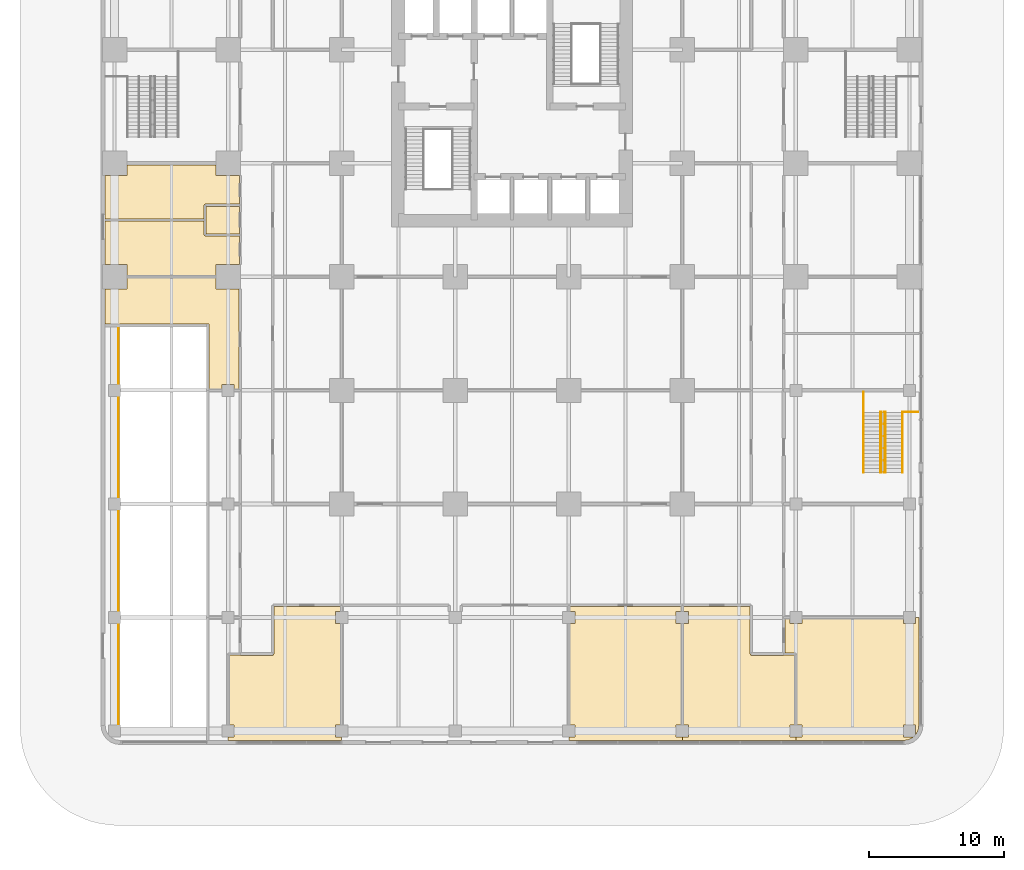
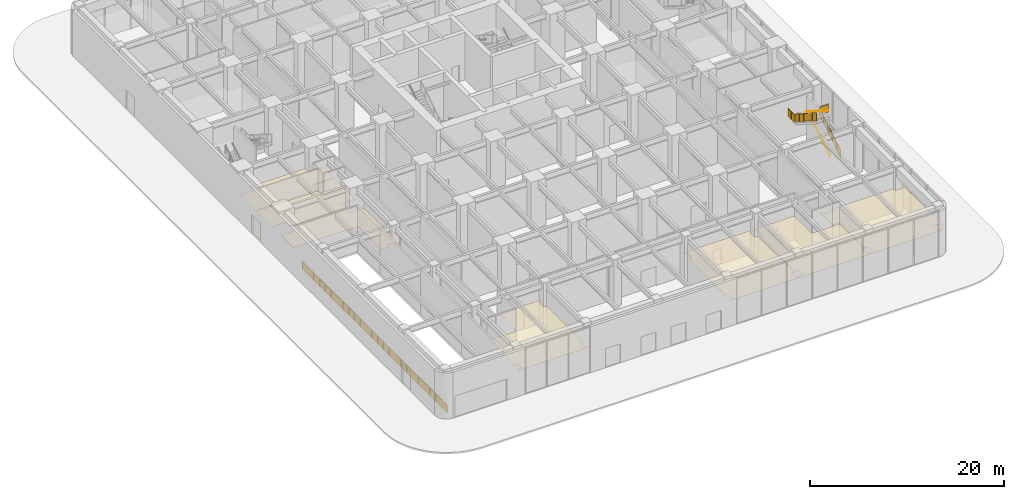
# One storey, part 18 of 21: 8 coverings, 7 railings.
"""IFC4 building model written with IfcOpenShell, lengths in metres."""

from ifc_helpers import new_model, si_unit, direction, frame, origin, origin_2d, place, context, subcontext, project, spatial, polyline, circle, outline, extrude, material, layer, layer_set, type_object, element, save


model = new_model("IFC4")

# Units and contexts
model_context = context("Model", 3, precision=1e-05, world=origin(), true_north=direction((0.0, 1.0)))
body_context = subcontext(model_context, "Body", "Model", "MODEL_VIEW")
ifc_project = project(units=[si_unit("LENGTHUNIT", "METRE"), si_unit("AREAUNIT", "SQUARE_METRE"), si_unit("VOLUMEUNIT", "CUBIC_METRE"), si_unit("PLANEANGLEUNIT", "RADIAN"), si_unit("MASSUNIT", "GRAM", prefix="KILO")], contexts=[model_context])

# Site, building, storey
site_placement = place(None, origin())
site = spatial("IfcSite", under=ifc_project, at=site_placement, CompositionType="ELEMENT")
building_placement = place(site_placement, origin())
building = spatial("IfcBuilding", under=site, at=building_placement, Name="Torre Alcanfor", CompositionType="ELEMENT")
storey_placement = place(building_placement, origin())
storey = spatial("IfcBuildingStorey", under=building, at=storey_placement, Name="L00", CompositionType="ELEMENT", Elevation=0.0)

# Coverings
ifc_material_1 = material(Name="Mineral fibre acoustic tile 20 mm, NRC 0.70, on exposed suspension grid", Category="mineral fibre")
ifc_layer_1 = layer(ifc_material_1, 0.02001953125)
ifc_layer_set_1 = layer_set([ifc_layer_1], Name="Acoustic suspended ceiling 600x600 mineral fibre tile")
covering_type_1 = type_object("IfcCoveringType", Name="Acoustic suspended ceiling 600x600 mineral fibre tile", PredefinedType="CEILING", material=ifc_layer_set_1)
covering_1_placement = place(storey_placement, frame((0.0, 0.0, 3.0)))
element("IfcCovering", 1, at=covering_1_placement, inside=storey, type_object=covering_type_1, Name="Ceiling L00-01", PredefinedType="CEILING", context=body_context, shape_type="SweptSolid", body=[
    extrude(outline(polyline([(8.85009765625, -17.25), (8.39990234375, -17.25), (8.39990234375, -17.5), (16.800048828125, -17.5), (16.800048828125, -17.25), (16.35009765625, -17.25), (16.35009765625, -16.35009765625), (16.72509765625, -16.35009765625), (16.72509765625, -8.85009765625), (16.35009765625, -8.85009765625), (16.35009765625, -7.949951171875), (16.72509765625, -7.949951171875), (16.72509765625, -7.60009765625), (11.800048828125, -7.60009765625), (11.800048828125, -11.10009765625), (11.699951171875, -11.10009765625), (11.699951171875, -11.199951171875), (9.300048828125, -11.199951171875), (9.300048828125, -11.175048828125), (8.47509765625, -11.175048828125), (8.47509765625, -16.35009765625), (8.85009765625, -16.35009765625), (8.85009765625, -17.25)])), origin(), (0.0, 0.0, 1.0), 0.02001953125),
])
covering_2_placement = place(storey_placement, frame((0.0, 0.0, 3.0)))
element("IfcCovering", 2, at=covering_2_placement, inside=storey, type_object=covering_type_1, Name="Ceiling L00-02", PredefinedType="CEILING", context=body_context, shape_type="SweptSolid", body=[
    extrude(outline(polyline([(49.949951171875, -17.25), (49.949951171875, -16.35009765625), (50.324951171875, -16.35009765625), (50.324951171875, -11.175048828125), (49.5, -11.175048828125), (49.5, -11.199951171875), (47.10009765625, -11.199951171875), (47.10009765625, -11.10009765625), (47.0, -11.10009765625), (47.0, -7.60009765625), (42.074951171875, -7.60009765625), (42.074951171875, -7.949951171875), (42.449951171875, -7.949951171875), (42.449951171875, -8.85009765625), (42.074951171875, -8.85009765625), (42.074951171875, -16.35009765625), (42.449951171875, -16.35009765625), (42.449951171875, -17.25), (42.0, -17.25), (42.0, -17.5), (50.39990234375, -17.5), (50.39990234375, -17.25), (49.949951171875, -17.25)])), origin(), (0.0, 0.0, 1.0), 0.02001953125),
])
covering_3_placement = place(storey_placement, frame((0.0, 0.0, 3.0)))
element("IfcCovering", 3, at=covering_3_placement, inside=storey, type_object=covering_type_1, Name="Ceiling L00-03", PredefinedType="CEILING", context=body_context, shape_type="SweptSolid", body=[
    extrude(outline(polyline([(59.25, -16.35009765625), (59.25, -17.079345703125), (59.350341796875, -16.94873046875), (59.4599609375, -16.68408203125), (59.5, -16.38037109375), (59.5, -8.39990234375), (59.25, -8.39990234375), (59.25, -8.85009765625), (58.35009765625, -8.85009765625), (58.35009765625, -8.47509765625), (50.85009765625, -8.47509765625), (50.85009765625, -8.85009765625), (49.949951171875, -8.85009765625), (49.949951171875, -8.47509765625), (49.60009765625, -8.47509765625), (49.60009765625, -11.02490234375), (50.39990234375, -11.02490234375), (50.39990234375, -11.10009765625), (50.47509765625, -11.10009765625), (50.47509765625, -16.35009765625), (50.85009765625, -16.35009765625), (50.85009765625, -17.25), (50.39990234375, -17.25), (50.39990234375, -17.5), (58.38037109375, -17.5), (58.68408203125, -17.4599609375), (58.94873046875, -17.350341796875), (59.079345703125, -17.25), (58.35009765625, -17.25), (58.35009765625, -16.35009765625), (59.25, -16.35009765625)])), origin(), (0.0, 0.0, 1.0), 0.02001953125),
])
covering_4_placement = place(storey_placement, frame((0.0, 0.0, 3.0)))
element("IfcCovering", 4, at=covering_4_placement, inside=storey, type_object=covering_type_1, Name="Ceiling L00-06", PredefinedType="CEILING", context=body_context, shape_type="SweptSolid", body=[
    extrude(outline(polyline([(41.550048828125, -8.85009765625), (41.550048828125, -7.949951171875), (41.925048828125, -7.949951171875), (41.925048828125, -7.60009765625), (33.675048828125, -7.60009765625), (33.675048828125, -7.949951171875), (34.050048828125, -7.949951171875), (34.050048828125, -8.85009765625), (33.675048828125, -8.85009765625), (33.675048828125, -16.35009765625), (34.050048828125, -16.35009765625), (34.050048828125, -17.25), (33.60009765625, -17.25), (33.60009765625, -17.5), (42.0, -17.5), (42.0, -17.25), (41.550048828125, -17.25), (41.550048828125, -16.35009765625), (41.925048828125, -16.35009765625), (41.925048828125, -8.85009765625), (41.550048828125, -8.85009765625)])), origin(), (0.0, 0.0, 1.0), 0.02001953125),
])
covering_5_placement = place(storey_placement, frame((0.0, 0.0, 3.0)))
element("IfcCovering", 5, at=covering_5_placement, inside=storey, type_object=covering_type_1, Name="Ceiling L00-12", PredefinedType="CEILING", context=body_context, shape_type="SweptSolid", body=[
    extrude(outline(polyline([(-0.699951171875, 13.300048828125), (7.0, 13.300048828125), (7.0, 8.47509765625), (7.949951171875, 8.47509765625), (7.949951171875, 8.85009765625), (8.85009765625, 8.85009765625), (8.85009765625, 8.47509765625), (9.199951171875, 8.47509765625), (9.199951171875, 15.89990234375), (7.5, 15.89990234375), (7.5, 16.72509765625), (0.89990234375, 16.72509765625), (0.89990234375, 15.89990234375), (-0.699951171875, 15.89990234375), (-0.699951171875, 13.300048828125)])), origin(), (0.0, 0.0, 1.0), 0.02001953125),
])
ifc_material_2 = material(Name="Moisture-resistant gypsum plasterboard 12.5 mm on concealed suspension frame", Category="gypsum")
ifc_layer_2 = layer(ifc_material_2, 0.012451171875)
ifc_layer_set_2 = layer_set([ifc_layer_2], Name="Moisture-resistant plasterboard ceiling 12.5")
covering_type_2 = type_object("IfcCoveringType", Name="Moisture-resistant plasterboard ceiling 12.5", PredefinedType="CEILING", material=ifc_layer_set_2)
covering_6_placement = place(storey_placement, frame((0.0, 0.0, 3.0)))
element("IfcCovering", 6, at=covering_6_placement, inside=storey, type_object=covering_type_2, Name="Ceiling L00-WCW1", PredefinedType="CEILING", context=body_context, shape_type="SweptSolid", body=[
    extrude(outline(polyline([(6.625, 20.925048828125), (-0.699951171875, 20.925048828125), (-0.699951171875, 17.699951171875), (0.89990234375, 17.699951171875), (0.89990234375, 16.875), (7.5, 16.875), (7.5, 17.699951171875), (9.22509765625, 17.699951171875), (9.22509765625, 19.824951171875), (6.699951171875, 19.824951171875), (6.699951171875, 19.89990234375), (6.625, 19.89990234375), (6.625, 20.925048828125)])), origin(), (0.0, 0.0, 1.0), 0.012451171875),
])
covering_7_placement = place(storey_placement, frame((0.0, 0.0, 3.0)))
element("IfcCovering", 7, at=covering_7_placement, inside=storey, type_object=covering_type_2, Name="Ceiling L00-WCW2", PredefinedType="CEILING", context=body_context, shape_type="SweptSolid", body=[
    extrude(outline(polyline([(9.22509765625, 22.02490234375), (6.77490234375, 22.02490234375), (6.77490234375, 19.97509765625), (9.22509765625, 19.97509765625), (9.22509765625, 22.02490234375)])), origin(), (0.0, 0.0, 1.0), 0.012451171875),
])
covering_8_placement = place(storey_placement, frame((0.0, 0.0, 3.0)))
element("IfcCovering", 8, at=covering_8_placement, inside=storey, type_object=covering_type_2, Name="Ceiling L00-WCW3", PredefinedType="CEILING", context=body_context, shape_type="SweptSolid", body=[
    extrude(outline(polyline([(0.89990234375, 24.300048828125), (-0.699951171875, 24.300048828125), (-0.699951171875, 21.074951171875), (6.625, 21.074951171875), (6.625, 22.10009765625), (6.699951171875, 22.10009765625), (6.699951171875, 22.175048828125), (9.22509765625, 22.175048828125), (9.22509765625, 24.300048828125), (7.5, 24.300048828125), (7.5, 25.074951171875), (0.89990234375, 25.074951171875), (0.89990234375, 24.300048828125)])), origin(), (0.0, 0.0, 1.0), 0.012451171875),
])

# Railings
ifc_material_3 = material(Name="Steel ASTM A500 Grade C hollow sections, hot-dip galvanised ASTM A123", Category="steel")
railing_type_1 = type_object("IfcRailingType", Name="Ramp guard 1100", PredefinedType="GUARDRAIL", material=ifc_material_3)
railing_1_placement = place(storey_placement, frame((0.300048828125, -16.75, 0.0)))
element("IfcRailing", 9, at=railing_1_placement, inside=storey, type_object=railing_type_1, Name="Ramp opening guard L00", PredefinedType="GUARDRAIL", context=body_context, shape_type="SweptSolid", body=[
    extrude(circle(Radius=0.02392578125, at=origin_2d()), frame((0.0, 0.0, 1.076171875), z_axis=(0.0, 1.0, 0.0), x_axis=(-1.0, 0.0, 0.0)), (0.0, 0.0, 1.0), 29.949951171875),
    extrude(circle(Radius=0.02099609375, at=origin_2d()), origin(), (0.0, 0.0, 1.0), 1.052001953125),
    extrude(circle(Radius=0.02099609375, at=origin_2d()), frame((0.0, 1.197998046875, 0.0)), (0.0, 0.0, 1.0), 1.052001953125),
    extrude(circle(Radius=0.02099609375, at=origin_2d()), frame((0.0, 2.39599609375, 0.0)), (0.0, 0.0, 1.0), 1.052001953125),
    extrude(circle(Radius=0.02099609375, at=origin_2d()), frame((0.0, 3.593994140625, 0.0)), (0.0, 0.0, 1.0), 1.052001953125),
    extrude(circle(Radius=0.02099609375, at=origin_2d()), frame((0.0, 4.7919921875, 0.0)), (0.0, 0.0, 1.0), 1.052001953125),
    extrude(circle(Radius=0.02099609375, at=origin_2d()), frame((0.0, 5.989990234375, 0.0)), (0.0, 0.0, 1.0), 1.052001953125),
    extrude(circle(Radius=0.02099609375, at=origin_2d()), frame((0.0, 7.18798828125, 0.0)), (0.0, 0.0, 1.0), 1.052001953125),
    extrude(circle(Radius=0.02099609375, at=origin_2d()), frame((0.0, 8.385986328125, 0.0)), (0.0, 0.0, 1.0), 1.052001953125),
    extrude(circle(Radius=0.02099609375, at=origin_2d()), frame((0.0, 9.583984375, 0.0)), (0.0, 0.0, 1.0), 1.052001953125),
    extrude(circle(Radius=0.02099609375, at=origin_2d()), frame((0.0, 10.781982421875, 0.0)), (0.0, 0.0, 1.0), 1.052001953125),
    extrude(circle(Radius=0.02099609375, at=origin_2d()), frame((0.0, 11.97998046875, 0.0)), (0.0, 0.0, 1.0), 1.052001953125),
    extrude(circle(Radius=0.02099609375, at=origin_2d()), frame((0.0, 13.177978515625, 0.0)), (0.0, 0.0, 1.0), 1.052001953125),
    extrude(circle(Radius=0.02099609375, at=origin_2d()), frame((0.0, 14.3759765625, 0.0)), (0.0, 0.0, 1.0), 1.052001953125),
    extrude(circle(Radius=0.02099609375, at=origin_2d()), frame((0.0, 15.573974609375, 0.0)), (0.0, 0.0, 1.0), 1.052001953125),
    extrude(circle(Radius=0.02099609375, at=origin_2d()), frame((0.0, 16.77197265625, 0.0)), (0.0, 0.0, 1.0), 1.052001953125),
    extrude(circle(Radius=0.02099609375, at=origin_2d()), frame((0.0, 17.969970703125, 0.0)), (0.0, 0.0, 1.0), 1.052001953125),
    extrude(circle(Radius=0.02099609375, at=origin_2d()), frame((0.0, 19.16796875, 0.0)), (0.0, 0.0, 1.0), 1.052001953125),
    extrude(circle(Radius=0.02099609375, at=origin_2d()), frame((0.0, 20.365966796875, 0.0)), (0.0, 0.0, 1.0), 1.052001953125),
    extrude(circle(Radius=0.02099609375, at=origin_2d()), frame((0.0, 21.56396484375, 0.0)), (0.0, 0.0, 1.0), 1.052001953125),
    extrude(circle(Radius=0.02099609375, at=origin_2d()), frame((0.0, 22.761962890625, 0.0)), (0.0, 0.0, 1.0), 1.052001953125),
    extrude(circle(Radius=0.02099609375, at=origin_2d()), frame((0.0, 23.9599609375, 0.0)), (0.0, 0.0, 1.0), 1.052001953125),
    extrude(circle(Radius=0.02099609375, at=origin_2d()), frame((0.0, 25.157958984375, 0.0)), (0.0, 0.0, 1.0), 1.052001953125),
    extrude(circle(Radius=0.02099609375, at=origin_2d()), frame((0.0, 26.35595703125, 0.0)), (0.0, 0.0, 1.0), 1.052001953125),
    extrude(circle(Radius=0.02099609375, at=origin_2d()), frame((0.0, 27.553955078125, 0.0)), (0.0, 0.0, 1.0), 1.052001953125),
    extrude(circle(Radius=0.02099609375, at=origin_2d()), frame((0.0, 28.751953125, 0.0)), (0.0, 0.0, 1.0), 1.052001953125),
    extrude(circle(Radius=0.02099609375, at=origin_2d()), frame((0.0, 29.949951171875, 0.0)), (0.0, 0.0, 1.0), 1.052001953125),
    extrude(outline(polyline([(0.041015625, 0.050048828125), (1.156982421875, 0.050048828125), (1.156982421875, 1.001953125), (0.041015625, 1.001953125), (0.041015625, 0.050048828125)])), frame((-0.005859375, 0.0, 0.0), z_axis=(1.0, 0.0, 0.0), x_axis=(0.0, 1.0, 0.0)), (0.0, 0.0, 1.0), 0.011962890625),
    extrude(outline(polyline([(1.239013671875, 0.050048828125), (2.35498046875, 0.050048828125), (2.35498046875, 1.001953125), (1.239013671875, 1.001953125), (1.239013671875, 0.050048828125)])), frame((-0.005859375, 0.0, 0.0), z_axis=(1.0, 0.0, 0.0), x_axis=(0.0, 1.0, 0.0)), (0.0, 0.0, 1.0), 0.011962890625),
    extrude(outline(polyline([(2.43701171875, 0.050048828125), (3.552978515625, 0.050048828125), (3.552978515625, 1.001953125), (2.43701171875, 1.001953125), (2.43701171875, 0.050048828125)])), frame((-0.005859375, 0.0, 0.0), z_axis=(1.0, 0.0, 0.0), x_axis=(0.0, 1.0, 0.0)), (0.0, 0.0, 1.0), 0.011962890625),
    extrude(outline(polyline([(3.635009765625, 0.050048828125), (4.7509765625, 0.050048828125), (4.7509765625, 1.001953125), (3.635009765625, 1.001953125), (3.635009765625, 0.050048828125)])), frame((-0.005859375, 0.0, 0.0), z_axis=(1.0, 0.0, 0.0), x_axis=(0.0, 1.0, 0.0)), (0.0, 0.0, 1.0), 0.011962890625),
    extrude(outline(polyline([(4.8330078125, 0.050048828125), (5.948974609375, 0.050048828125), (5.948974609375, 1.001953125), (4.8330078125, 1.001953125), (4.8330078125, 0.050048828125)])), frame((-0.005859375, 0.0, 0.0), z_axis=(1.0, 0.0, 0.0), x_axis=(0.0, 1.0, 0.0)), (0.0, 0.0, 1.0), 0.011962890625),
    extrude(outline(polyline([(6.031005859375, 0.050048828125), (7.14697265625, 0.050048828125), (7.14697265625, 1.001953125), (6.031005859375, 1.001953125), (6.031005859375, 0.050048828125)])), frame((-0.005859375, 0.0, 0.0), z_axis=(1.0, 0.0, 0.0), x_axis=(0.0, 1.0, 0.0)), (0.0, 0.0, 1.0), 0.011962890625),
    extrude(outline(polyline([(7.22900390625, 0.050048828125), (8.344970703125, 0.050048828125), (8.344970703125, 1.001953125), (7.22900390625, 1.001953125), (7.22900390625, 0.050048828125)])), frame((-0.005859375, 0.0, 0.0), z_axis=(1.0, 0.0, 0.0), x_axis=(0.0, 1.0, 0.0)), (0.0, 0.0, 1.0), 0.011962890625),
    extrude(outline(polyline([(8.427001953125, 0.050048828125), (9.54296875, 0.050048828125), (9.54296875, 1.001953125), (8.427001953125, 1.001953125), (8.427001953125, 0.050048828125)])), frame((-0.005859375, 0.0, 0.0), z_axis=(1.0, 0.0, 0.0), x_axis=(0.0, 1.0, 0.0)), (0.0, 0.0, 1.0), 0.011962890625),
    extrude(outline(polyline([(9.625, 0.050048828125), (10.740966796875, 0.050048828125), (10.740966796875, 1.001953125), (9.625, 1.001953125), (9.625, 0.050048828125)])), frame((-0.005859375, 0.0, 0.0), z_axis=(1.0, 0.0, 0.0), x_axis=(0.0, 1.0, 0.0)), (0.0, 0.0, 1.0), 0.011962890625),
    extrude(outline(polyline([(10.822998046875, 0.050048828125), (11.93896484375, 0.050048828125), (11.93896484375, 1.001953125), (10.822998046875, 1.001953125), (10.822998046875, 0.050048828125)])), frame((-0.005859375, 0.0, 0.0), z_axis=(1.0, 0.0, 0.0), x_axis=(0.0, 1.0, 0.0)), (0.0, 0.0, 1.0), 0.011962890625),
    extrude(outline(polyline([(12.02099609375, 0.050048828125), (13.136962890625, 0.050048828125), (13.136962890625, 1.001953125), (12.02099609375, 1.001953125), (12.02099609375, 0.050048828125)])), frame((-0.005859375, 0.0, 0.0), z_axis=(1.0, 0.0, 0.0), x_axis=(0.0, 1.0, 0.0)), (0.0, 0.0, 1.0), 0.011962890625),
    extrude(outline(polyline([(13.218994140625, 0.050048828125), (14.3349609375, 0.050048828125), (14.3349609375, 1.001953125), (13.218994140625, 1.001953125), (13.218994140625, 0.050048828125)])), frame((-0.005859375, 0.0, 0.0), z_axis=(1.0, 0.0, 0.0), x_axis=(0.0, 1.0, 0.0)), (0.0, 0.0, 1.0), 0.011962890625),
    extrude(outline(polyline([(14.4169921875, 0.050048828125), (15.532958984375, 0.050048828125), (15.532958984375, 1.001953125), (14.4169921875, 1.001953125), (14.4169921875, 0.050048828125)])), frame((-0.005859375, 0.0, 0.0), z_axis=(1.0, 0.0, 0.0), x_axis=(0.0, 1.0, 0.0)), (0.0, 0.0, 1.0), 0.011962890625),
    extrude(outline(polyline([(15.614990234375, 0.050048828125), (16.73095703125, 0.050048828125), (16.73095703125, 1.001953125), (15.614990234375, 1.001953125), (15.614990234375, 0.050048828125)])), frame((-0.005859375, 0.0, 0.0), z_axis=(1.0, 0.0, 0.0), x_axis=(0.0, 1.0, 0.0)), (0.0, 0.0, 1.0), 0.011962890625),
    extrude(outline(polyline([(16.81298828125, 0.050048828125), (17.928955078125, 0.050048828125), (17.928955078125, 1.001953125), (16.81298828125, 1.001953125), (16.81298828125, 0.050048828125)])), frame((-0.005859375, 0.0, 0.0), z_axis=(1.0, 0.0, 0.0), x_axis=(0.0, 1.0, 0.0)), (0.0, 0.0, 1.0), 0.011962890625),
    extrude(outline(polyline([(18.010986328125, 0.050048828125), (19.126953125, 0.050048828125), (19.126953125, 1.001953125), (18.010986328125, 1.001953125), (18.010986328125, 0.050048828125)])), frame((-0.005859375, 0.0, 0.0), z_axis=(1.0, 0.0, 0.0), x_axis=(0.0, 1.0, 0.0)), (0.0, 0.0, 1.0), 0.011962890625),
    extrude(outline(polyline([(19.208984375, 0.050048828125), (20.324951171875, 0.050048828125), (20.324951171875, 1.001953125), (19.208984375, 1.001953125), (19.208984375, 0.050048828125)])), frame((-0.005859375, 0.0, 0.0), z_axis=(1.0, 0.0, 0.0), x_axis=(0.0, 1.0, 0.0)), (0.0, 0.0, 1.0), 0.011962890625),
    extrude(outline(polyline([(20.406982421875, 0.050048828125), (21.52294921875, 0.050048828125), (21.52294921875, 1.001953125), (20.406982421875, 1.001953125), (20.406982421875, 0.050048828125)])), frame((-0.005859375, 0.0, 0.0), z_axis=(1.0, 0.0, 0.0), x_axis=(0.0, 1.0, 0.0)), (0.0, 0.0, 1.0), 0.011962890625),
    extrude(outline(polyline([(21.60498046875, 0.050048828125), (22.720947265625, 0.050048828125), (22.720947265625, 1.001953125), (21.60498046875, 1.001953125), (21.60498046875, 0.050048828125)])), frame((-0.005859375, 0.0, 0.0), z_axis=(1.0, 0.0, 0.0), x_axis=(0.0, 1.0, 0.0)), (0.0, 0.0, 1.0), 0.011962890625),
    extrude(outline(polyline([(22.802978515625, 0.050048828125), (23.9189453125, 0.050048828125), (23.9189453125, 1.001953125), (22.802978515625, 1.001953125), (22.802978515625, 0.050048828125)])), frame((-0.005859375, 0.0, 0.0), z_axis=(1.0, 0.0, 0.0), x_axis=(0.0, 1.0, 0.0)), (0.0, 0.0, 1.0), 0.011962890625),
    extrude(outline(polyline([(24.0009765625, 0.050048828125), (25.116943359375, 0.050048828125), (25.116943359375, 1.001953125), (24.0009765625, 1.001953125), (24.0009765625, 0.050048828125)])), frame((-0.005859375, 0.0, 0.0), z_axis=(1.0, 0.0, 0.0), x_axis=(0.0, 1.0, 0.0)), (0.0, 0.0, 1.0), 0.011962890625),
    extrude(outline(polyline([(25.198974609375, 0.050048828125), (26.31494140625, 0.050048828125), (26.31494140625, 1.001953125), (25.198974609375, 1.001953125), (25.198974609375, 0.050048828125)])), frame((-0.005859375, 0.0, 0.0), z_axis=(1.0, 0.0, 0.0), x_axis=(0.0, 1.0, 0.0)), (0.0, 0.0, 1.0), 0.011962890625),
    extrude(outline(polyline([(26.39697265625, 0.050048828125), (27.512939453125, 0.050048828125), (27.512939453125, 1.001953125), (26.39697265625, 1.001953125), (26.39697265625, 0.050048828125)])), frame((-0.005859375, 0.0, 0.0), z_axis=(1.0, 0.0, 0.0), x_axis=(0.0, 1.0, 0.0)), (0.0, 0.0, 1.0), 0.011962890625),
    extrude(outline(polyline([(27.594970703125, 0.050048828125), (28.7109375, 0.050048828125), (28.7109375, 1.001953125), (27.594970703125, 1.001953125), (27.594970703125, 0.050048828125)])), frame((-0.005859375, 0.0, 0.0), z_axis=(1.0, 0.0, 0.0), x_axis=(0.0, 1.0, 0.0)), (0.0, 0.0, 1.0), 0.011962890625),
    extrude(outline(polyline([(28.79296875, 0.050048828125), (29.908935546875, 0.050048828125), (29.908935546875, 1.001953125), (28.79296875, 1.001953125), (28.79296875, 0.050048828125)])), frame((-0.005859375, 0.0, 0.0), z_axis=(1.0, 0.0, 0.0), x_axis=(0.0, 1.0, 0.0)), (0.0, 0.0, 1.0), 0.011962890625),
])
ifc_material_4 = material(Name="Steel ASTM A500 Grade C hollow sections", Category="steel")
railing_type_2 = type_object("IfcRailingType", Name="Stair guard and handrail 1100", PredefinedType="GUARDRAIL", material=ifc_material_4)
railing_2_placement = place(storey_placement, frame((58.300048828125, 2.324951171875, 0.176513671875)))
element("IfcRailing", 10, at=railing_2_placement, inside=storey, type_object=railing_type_2, Name="Stair guard SS3 L00 flight 1", PredefinedType="GUARDRAIL", context=body_context, shape_type="SweptSolid", body=[
    extrude(circle(Radius=0.02392578125, at=origin_2d()), frame((0.0, 0.0, 1.076171875), z_axis=(0.0, 0.845997938375, 0.533186166611), x_axis=(-1.0, 0.0, 0.0)), (0.0, 0.0, 1.0), 5.29541015625),
    extrude(circle(Radius=0.02099609375, at=origin_2d()), origin(), (0.0, 0.0, 1.0), 1.052001953125),
    extrude(circle(Radius=0.02099609375, at=origin_2d()), frame((0.0, 0.89599609375, 0.564697265625)), (0.0, 0.0, 1.0), 1.052001953125),
    extrude(circle(Radius=0.02099609375, at=origin_2d()), frame((0.0, 1.7919921875, 1.12939453125)), (0.0, 0.0, 1.0), 1.052001953125),
    extrude(circle(Radius=0.02099609375, at=origin_2d()), frame((0.0, 2.68798828125, 1.694091796875)), (0.0, 0.0, 1.0), 1.052001953125),
    extrude(circle(Radius=0.02099609375, at=origin_2d()), frame((0.0, 3.583984375, 2.2587890625)), (0.0, 0.0, 1.0), 1.052001953125),
    extrude(circle(Radius=0.02099609375, at=origin_2d()), frame((0.0, 4.47998046875, 2.823486328125)), (0.0, 0.0, 1.0), 1.052001953125),
    extrude(outline(polyline([(0.041015625, 0.075927734375), (0.85498046875, 0.5888671875), (0.85498046875, 1.540771484375), (0.041015625, 1.02783203125), (0.041015625, 0.075927734375)])), frame((-0.005859375, 0.0, 0.0), z_axis=(1.0, 0.0, 0.0), x_axis=(0.0, 1.0, 0.0)), (0.0, 0.0, 1.0), 0.011962890625),
    extrude(outline(polyline([(0.93701171875, 0.640625), (1.7509765625, 1.153564453125), (1.7509765625, 2.10546875), (0.93701171875, 1.592529296875), (0.93701171875, 0.640625)])), frame((-0.005859375, 0.0, 0.0), z_axis=(1.0, 0.0, 0.0), x_axis=(0.0, 1.0, 0.0)), (0.0, 0.0, 1.0), 0.011962890625),
    extrude(outline(polyline([(1.8330078125, 1.205322265625), (2.64697265625, 1.71826171875), (2.64697265625, 2.670166015625), (1.8330078125, 2.1572265625), (1.8330078125, 1.205322265625)])), frame((-0.005859375, 0.0, 0.0), z_axis=(1.0, 0.0, 0.0), x_axis=(0.0, 1.0, 0.0)), (0.0, 0.0, 1.0), 0.011962890625),
    extrude(outline(polyline([(2.72900390625, 1.77001953125), (3.54296875, 2.282958984375), (3.54296875, 3.23486328125), (2.72900390625, 2.721923828125), (2.72900390625, 1.77001953125)])), frame((-0.005859375, 0.0, 0.0), z_axis=(1.0, 0.0, 0.0), x_axis=(0.0, 1.0, 0.0)), (0.0, 0.0, 1.0), 0.011962890625),
    extrude(outline(polyline([(3.625, 2.334716796875), (4.43896484375, 2.84765625), (4.43896484375, 3.799560546875), (3.625, 3.28662109375), (3.625, 2.334716796875)])), frame((-0.005859375, 0.0, 0.0), z_axis=(1.0, 0.0, 0.0), x_axis=(0.0, 1.0, 0.0)), (0.0, 0.0, 1.0), 0.011962890625),
])
railing_3_placement = place(storey_placement, frame((55.39990234375, 6.804931640625, 3.176513671875)))
element("IfcRailing", 11, at=railing_3_placement, inside=storey, type_object=railing_type_2, Name="Stair guard SS3 L00 flight 2", PredefinedType="GUARDRAIL", context=body_context, shape_type="SweptSolid", body=[
    extrude(circle(Radius=0.02392578125, at=origin_2d()), frame((0.0, 0.0, 1.076171875), z_axis=(0.0, -0.845997938375, 0.533186166611), x_axis=(1.0, 0.0, 0.0)), (0.0, 0.0, 1.0), 5.29541015625),
    extrude(circle(Radius=0.02099609375, at=origin_2d()), origin(), (0.0, 0.0, 1.0), 1.052001953125),
    extrude(circle(Radius=0.02099609375, at=origin_2d()), frame((0.0, -0.89599609375, 0.564697265625)), (0.0, 0.0, 1.0), 1.052001953125),
    extrude(circle(Radius=0.02099609375, at=origin_2d()), frame((0.0, -1.7919921875, 1.12939453125)), (0.0, 0.0, 1.0), 1.052001953125),
    extrude(circle(Radius=0.02099609375, at=origin_2d()), frame((0.0, -2.68798828125, 1.694091796875)), (0.0, 0.0, 1.0), 1.052001953125),
    extrude(circle(Radius=0.02099609375, at=origin_2d()), frame((0.0, -3.583984375, 2.2587890625)), (0.0, 0.0, 1.0), 1.052001953125),
    extrude(circle(Radius=0.02099609375, at=origin_2d()), frame((0.0, -4.47998046875, 2.823486328125)), (0.0, 0.0, 1.0), 1.052001953125),
    extrude(outline(polyline([(0.041015625, 0.075927734375), (0.85498046875, 0.5888671875), (0.85498046875, 1.540771484375), (0.041015625, 1.02783203125), (0.041015625, 0.075927734375)])), frame((0.005859375, 0.0, 0.0), z_axis=(-1.0, 0.0, 0.0), x_axis=(0.0, -1.0, 0.0)), (0.0, 0.0, 1.0), 0.011962890625),
    extrude(outline(polyline([(0.93701171875, 0.640625), (1.7509765625, 1.153564453125), (1.7509765625, 2.10546875), (0.93701171875, 1.592529296875), (0.93701171875, 0.640625)])), frame((0.005859375, 0.0, 0.0), z_axis=(-1.0, 0.0, 0.0), x_axis=(0.0, -1.0, 0.0)), (0.0, 0.0, 1.0), 0.011962890625),
    extrude(outline(polyline([(1.8330078125, 1.205322265625), (2.64697265625, 1.71826171875), (2.64697265625, 2.670166015625), (1.8330078125, 2.1572265625), (1.8330078125, 1.205322265625)])), frame((0.005859375, 0.0, 0.0), z_axis=(-1.0, 0.0, 0.0), x_axis=(0.0, -1.0, 0.0)), (0.0, 0.0, 1.0), 0.011962890625),
    extrude(outline(polyline([(2.72900390625, 1.77001953125), (3.54296875, 2.282958984375), (3.54296875, 3.23486328125), (2.72900390625, 2.721923828125), (2.72900390625, 1.77001953125)])), frame((0.005859375, 0.0, 0.0), z_axis=(-1.0, 0.0, 0.0), x_axis=(0.0, -1.0, 0.0)), (0.0, 0.0, 1.0), 0.011962890625),
    extrude(outline(polyline([(3.625, 2.334716796875), (4.43896484375, 2.84765625), (4.43896484375, 3.799560546875), (3.625, 3.28662109375), (3.625, 2.334716796875)])), frame((0.005859375, 0.0, 0.0), z_axis=(-1.0, 0.0, 0.0), x_axis=(0.0, -1.0, 0.0)), (0.0, 0.0, 1.0), 0.011962890625),
])
railing_4_placement = place(storey_placement, frame((59.449951171875, 6.804931640625, 3.0)))
element("IfcRailing", 12, at=railing_4_placement, inside=storey, type_object=railing_type_2, Name="Stair guard SS3 L00 half landing facade strip", PredefinedType="GUARDRAIL", context=body_context, shape_type="SweptSolid", body=[
    extrude(circle(Radius=0.02392578125, at=origin_2d()), frame((0.0, 0.0, 1.076171875), z_axis=(-1.0, 0.0, 0.0), x_axis=(0.0, -1.0, 0.0)), (0.0, 0.0, 1.0), 1.099853515625),
    extrude(circle(Radius=0.02099609375, at=origin_2d()), origin(), (0.0, 0.0, 1.0), 1.052001953125),
    extrude(circle(Radius=0.02099609375, at=origin_2d()), frame((-1.099853515625, 0.0, 0.0)), (0.0, 0.0, 1.0), 1.052001953125),
    extrude(outline(polyline([(0.041015625, 0.050048828125), (1.058837890625, 0.050048828125), (1.058837890625, 1.001953125), (0.041015625, 1.001953125), (0.041015625, 0.050048828125)])), frame((0.0, -0.005859375, 0.0), z_axis=(0.0, 1.0, 0.0), x_axis=(-1.0, 0.0, 0.0)), (0.0, 0.0, 1.0), 0.011962890625),
])
railing_5_placement = place(storey_placement, frame((55.39990234375, 6.804931640625, 3.0)))
element("IfcRailing", 13, at=railing_5_placement, inside=storey, type_object=railing_type_2, Name="Stair guard SS3 L00 half landing", PredefinedType="GUARDRAIL", context=body_context, shape_type="SweptSolid", body=[
    extrude(circle(Radius=0.02392578125, at=origin_2d()), frame((0.0, 0.0, 1.076171875), z_axis=(0.0, 1.0, 0.0), x_axis=(-1.0, 0.0, 0.0)), (0.0, 0.0, 1.0), 1.4599609375),
    extrude(circle(Radius=0.02099609375, at=origin_2d()), origin(), (0.0, 0.0, 1.0), 1.052001953125),
    extrude(circle(Radius=0.02099609375, at=origin_2d()), frame((0.0, 0.72998046875, 0.0)), (0.0, 0.0, 1.0), 1.052001953125),
    extrude(circle(Radius=0.02099609375, at=origin_2d()), frame((0.0, 1.4599609375, 0.0)), (0.0, 0.0, 1.0), 1.052001953125),
    extrude(outline(polyline([(0.041015625, 0.050048828125), (0.68896484375, 0.050048828125), (0.68896484375, 1.001953125), (0.041015625, 1.001953125), (0.041015625, 0.050048828125)])), frame((-0.005859375, 0.0, 0.0), z_axis=(1.0, 0.0, 0.0), x_axis=(0.0, 1.0, 0.0)), (0.0, 0.0, 1.0), 0.011962890625),
    extrude(outline(polyline([(0.77099609375, 0.050048828125), (1.4189453125, 0.050048828125), (1.4189453125, 1.001953125), (0.77099609375, 1.001953125), (0.77099609375, 0.050048828125)])), frame((-0.005859375, 0.0, 0.0), z_axis=(1.0, 0.0, 0.0), x_axis=(0.0, 1.0, 0.0)), (0.0, 0.0, 1.0), 0.011962890625),
])
ifc_material_5 = material(Name="Steel ASTM A500 Grade C hollow sections", Category="steel")
railing_type_3 = type_object("IfcRailingType", Name="Stair wall handrail 900", PredefinedType="HANDRAIL", material=ifc_material_5)
railing_6_placement = place(storey_placement, frame((57.014892578125, 2.324951171875, 0.176513671875)))
element("IfcRailing", 14, at=railing_6_placement, inside=storey, type_object=railing_type_3, Name="Stair handrail SS3 L00 flight 1", PredefinedType="HANDRAIL", context=body_context, shape_type="SweptSolid", body=[
    extrude(circle(Radius=0.02392578125, at=origin_2d()), frame((0.0, 0.0, 0.8759765625), z_axis=(0.0, 0.845997938375, 0.533186166611), x_axis=(-1.0, 0.0, 0.0)), (0.0, 0.0, 1.0), 5.29541015625),
    extrude(circle(Radius=0.008056640625, at=origin_2d()), frame((0.0, 0.0, 0.8759765625), z_axis=(-1.0, 0.0, 0.0), x_axis=(0.0, 0.0, 1.0)), (0.0, 0.0, 1.0), 0.06494140625),
    extrude(circle(Radius=0.008056640625, at=origin_2d()), frame((0.0, 0.89599609375, 1.4404296875), z_axis=(-1.0, 0.0, 0.0), x_axis=(0.0, 0.0, 1.0)), (0.0, 0.0, 1.0), 0.06494140625),
    extrude(circle(Radius=0.008056640625, at=origin_2d()), frame((0.0, 1.7919921875, 2.00537109375), z_axis=(-1.0, 0.0, 0.0), x_axis=(0.0, 0.0, 1.0)), (0.0, 0.0, 1.0), 0.06494140625),
    extrude(circle(Radius=0.008056640625, at=origin_2d()), frame((0.0, 2.68798828125, 2.56982421875), z_axis=(-1.0, 0.0, 0.0), x_axis=(0.0, 0.0, 1.0)), (0.0, 0.0, 1.0), 0.06494140625),
    extrude(circle(Radius=0.008056640625, at=origin_2d()), frame((0.0, 3.583984375, 3.134765625), z_axis=(-1.0, 0.0, 0.0), x_axis=(0.0, 0.0, 1.0)), (0.0, 0.0, 1.0), 0.06494140625),
    extrude(circle(Radius=0.008056640625, at=origin_2d()), frame((0.0, 4.47998046875, 3.69921875), z_axis=(-1.0, 0.0, 0.0), x_axis=(0.0, 0.0, 1.0)), (0.0, 0.0, 1.0), 0.06494140625),
])
railing_7_placement = place(storey_placement, frame((56.68505859375, 6.804931640625, 3.176513671875)))
element("IfcRailing", 15, at=railing_7_placement, inside=storey, type_object=railing_type_3, Name="Stair handrail SS3 L00 flight 2", PredefinedType="HANDRAIL", context=body_context, shape_type="SweptSolid", body=[
    extrude(circle(Radius=0.02392578125, at=origin_2d()), frame((0.0, 0.0, 0.8759765625), z_axis=(0.0, -0.845997938375, 0.533186166611), x_axis=(1.0, 0.0, 0.0)), (0.0, 0.0, 1.0), 5.29541015625),
    extrude(circle(Radius=0.008056640625, at=origin_2d()), frame((0.0, 0.0, 0.8759765625), z_axis=(1.0, 0.0, 0.0), x_axis=(0.0, 0.0, 1.0)), (0.0, 0.0, 1.0), 0.06494140625),
    extrude(circle(Radius=0.008056640625, at=origin_2d()), frame((0.0, -0.89599609375, 1.4404296875), z_axis=(1.0, 0.0, 0.0), x_axis=(0.0, 0.0, 1.0)), (0.0, 0.0, 1.0), 0.06494140625),
    extrude(circle(Radius=0.008056640625, at=origin_2d()), frame((0.0, -1.7919921875, 2.00537109375), z_axis=(1.0, 0.0, 0.0), x_axis=(0.0, 0.0, 1.0)), (0.0, 0.0, 1.0), 0.06494140625),
    extrude(circle(Radius=0.008056640625, at=origin_2d()), frame((0.0, -2.68798828125, 2.56982421875), z_axis=(1.0, 0.0, 0.0), x_axis=(0.0, 0.0, 1.0)), (0.0, 0.0, 1.0), 0.06494140625),
    extrude(circle(Radius=0.008056640625, at=origin_2d()), frame((0.0, -3.583984375, 3.134765625), z_axis=(1.0, 0.0, 0.0), x_axis=(0.0, 0.0, 1.0)), (0.0, 0.0, 1.0), 0.06494140625),
    extrude(circle(Radius=0.008056640625, at=origin_2d()), frame((0.0, -4.47998046875, 3.69921875), z_axis=(1.0, 0.0, 0.0), x_axis=(0.0, 0.0, 1.0)), (0.0, 0.0, 1.0), 0.06494140625),
])

save(model, "model.ifc")
